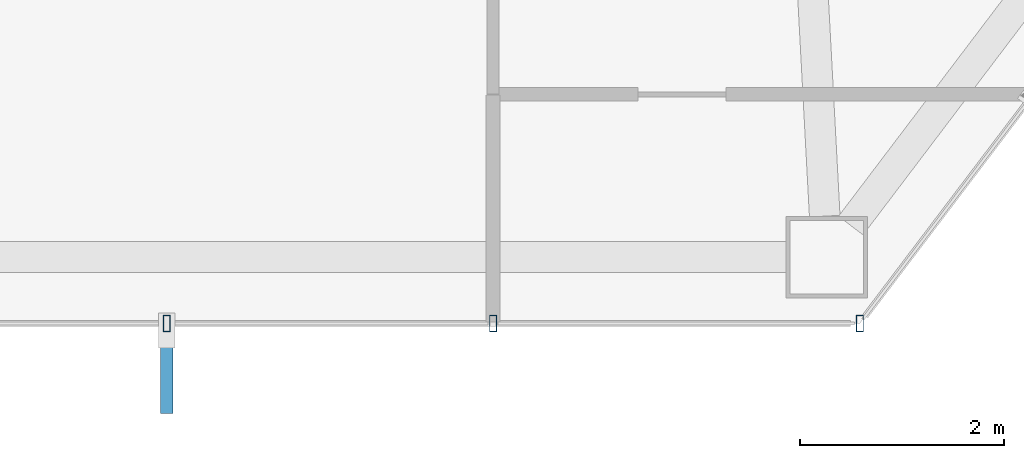
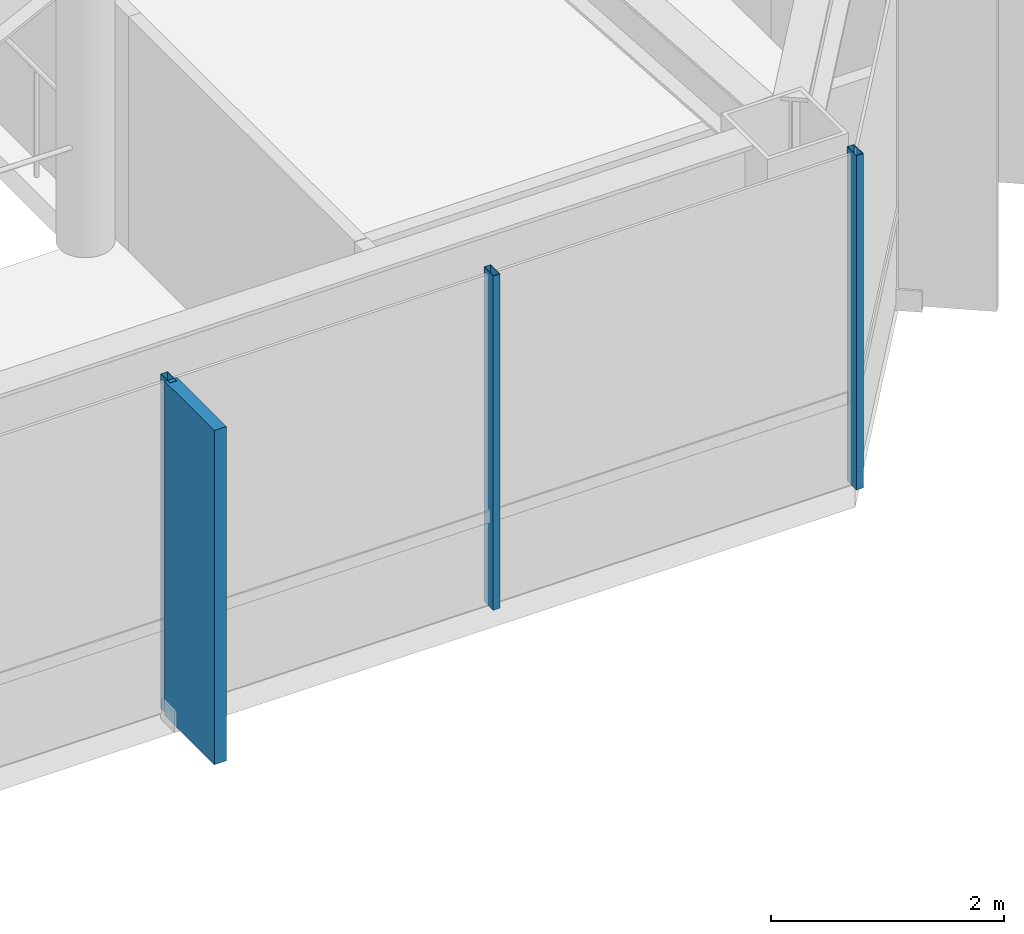
# One storey, part 8 of 29: 4 members, 1 element without a shape of its own.
"""IFC4 building model written with IfcOpenShell, lengths in metres."""

from ifc_helpers import new_model, si_unit, direction, frame, origin, origin_2d, place, context, subcontext, project, spatial, rectangle, hollow_rectangle, extrude, material, layer, layer_set, material_profile, profile_set, type_object, element, aggregate, save


model = new_model("IFC4")

# Units and contexts
model_context = context("Model", 3, precision=1e-05, world=origin(), true_north=direction((0.0, 1.0)))
body_context = subcontext(model_context, "Body", "Model", "MODEL_VIEW")
ifc_project = project(units=[si_unit("LENGTHUNIT", "METRE"), si_unit("AREAUNIT", "SQUARE_METRE"), si_unit("VOLUMEUNIT", "CUBIC_METRE"), si_unit("PLANEANGLEUNIT", "RADIAN"), si_unit("MASSUNIT", "GRAM", prefix="KILO")], contexts=[model_context])

# Site, building, storey
site_placement = place(None, origin())
site = spatial("IfcSite", under=ifc_project, at=site_placement, CompositionType="ELEMENT")
building_placement = place(site_placement, origin())
building = spatial("IfcBuilding", under=site, at=building_placement, Name="Zarrinselat Tower", CompositionType="ELEMENT")
storey_placement = place(building_placement, frame((0.0, 0.0, 134.639892578125)))
storey = spatial("IfcBuildingStorey", under=building, at=storey_placement, Name="L32", CompositionType="ELEMENT", Elevation=134.639892578125)

# Curtain wall, members
ifc_material_1 = material(Name="Extruded Aluminium Alloy EN AW-6063 T6", Category="aluminium")
ifc_layer = layer(ifc_material_1, 0.175048828125)
ifc_layer_set = layer_set([ifc_layer], Name="Extruded Aluminium Alloy EN AW-6063 T6")
curtain_wall_type = type_object("IfcCurtainWallType", Name="CWS-HTL", PredefinedType="NOTDEFINED", material=ifc_layer_set)
curtain_wall_placement = place(storey_placement, origin())
curtain_wall = element("IfcCurtainWall", 1, at=curtain_wall_placement, inside=storey, type_object=curtain_wall_type, Name="L32 Unitised Curtain Wall CW-L32-E04", PredefinedType="NOTDEFINED")
ifc_material_2 = material(Name="Extruded Aluminium Alloy EN AW-6063 T6", Category="aluminium")
ifc_material_profile_1 = material_profile(ifc_material_2, hollow_rectangle(XDim=0.070068359375, YDim=0.159912109375, WallThickness=0.00390625, at=origin_2d()), Name="RHS 160x70x4")
ifc_profile_set_1 = profile_set([ifc_material_profile_1], Name="Extruded Aluminium Alloy EN AW-6063 T6")
member_type_1 = type_object("IfcMemberType", Name="MEM-CW-MUL2", PredefinedType="MULLION", material=ifc_profile_set_1)
member_1_placement = place(storey_placement, frame((40.099365234375, 17.94580078125, 0.0), z_axis=(0.0, 0.0, 1.0), x_axis=(1.0, 0.0, 0.0)))
member_1 = element("IfcMember", 2, at=member_1_placement, type_object=member_type_1, Name="CW-L32-E04 Mullion 3", PredefinedType="MULLION", context=body_context, shape_type="SweptSolid", body=[
    extrude(hollow_rectangle(XDim=0.070068359375, YDim=0.159912109375, WallThickness=0.00390625, at=origin_2d()), origin(), (0.0, 0.0, 1.0), 3.5),
])
member_2_placement = place(storey_placement, frame((43.300048828125, 17.94580078125, 0.0), z_axis=(0.0, 0.0, 1.0), x_axis=(1.0, 0.0, 0.0)))
member_2 = element("IfcMember", 3, at=member_2_placement, type_object=member_type_1, Name="CW-L32-E04 Mullion 4", PredefinedType="MULLION", context=body_context, shape_type="SweptSolid", body=[
    extrude(hollow_rectangle(XDim=0.070068359375, YDim=0.159912109375, WallThickness=0.00390625, at=origin_2d()), origin(), (0.0, 0.0, 1.0), 3.5),
])
member_3_placement = place(storey_placement, frame((46.89697265625, 17.94580078125, 0.0), z_axis=(0.0, 0.0, 1.0), x_axis=(1.0, 0.0, 0.0)))
member_3 = element("IfcMember", 4, at=member_3_placement, type_object=member_type_1, Name="CW-L32-E04 Mullion 5", PredefinedType="MULLION", context=body_context, shape_type="SweptSolid", body=[
    extrude(hollow_rectangle(XDim=0.070068359375, YDim=0.159912109375, WallThickness=0.00390625, at=origin_2d()), origin(), (0.0, 0.0, 1.0), 3.5),
])
ifc_material_3 = material(Name="Honed Cream Travertine Stone", Category="masonry")
ifc_material_profile_2 = material_profile(ifc_material_3, rectangle(XDim=0.1201171875, YDim=0.85009765625, at=origin_2d()), Name="FIN 850x120")
ifc_profile_set_2 = profile_set([ifc_material_profile_2], Name="Honed Cream Travertine Stone")
member_type_2 = type_object("IfcMemberType", Name="MEM-STONE-FIN", PredefinedType="USERDEFINED", material=ifc_profile_set_2)
member_4_placement = place(storey_placement, frame((40.099365234375, 17.48583984375, 0.0), z_axis=(0.0, 0.0, 1.0), x_axis=(-1.0, 0.0, 0.0)))
member_4 = element("IfcMember", 5, at=member_4_placement, type_object=member_type_2, Name="L32 Stone Shading Fin CW-L32-E04-03", ObjectType="FIN", PredefinedType="USERDEFINED", context=body_context, shape_type="SweptSolid", body=[
    extrude(rectangle(XDim=0.1201171875, YDim=0.85009765625, at=origin_2d()), origin(), (0.0, 0.0, 1.0), 3.5),
])
aggregate(curtain_wall, [member_1, member_4, member_2, member_3])

save(model, "model.ifc")
